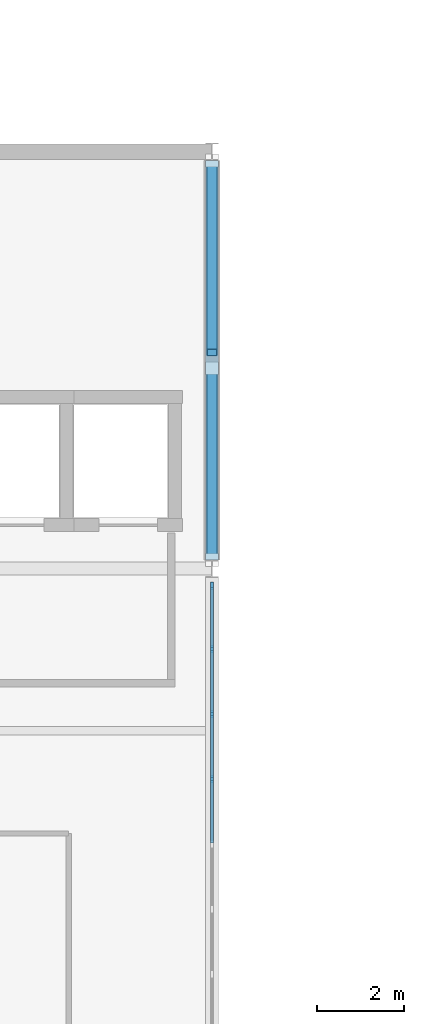
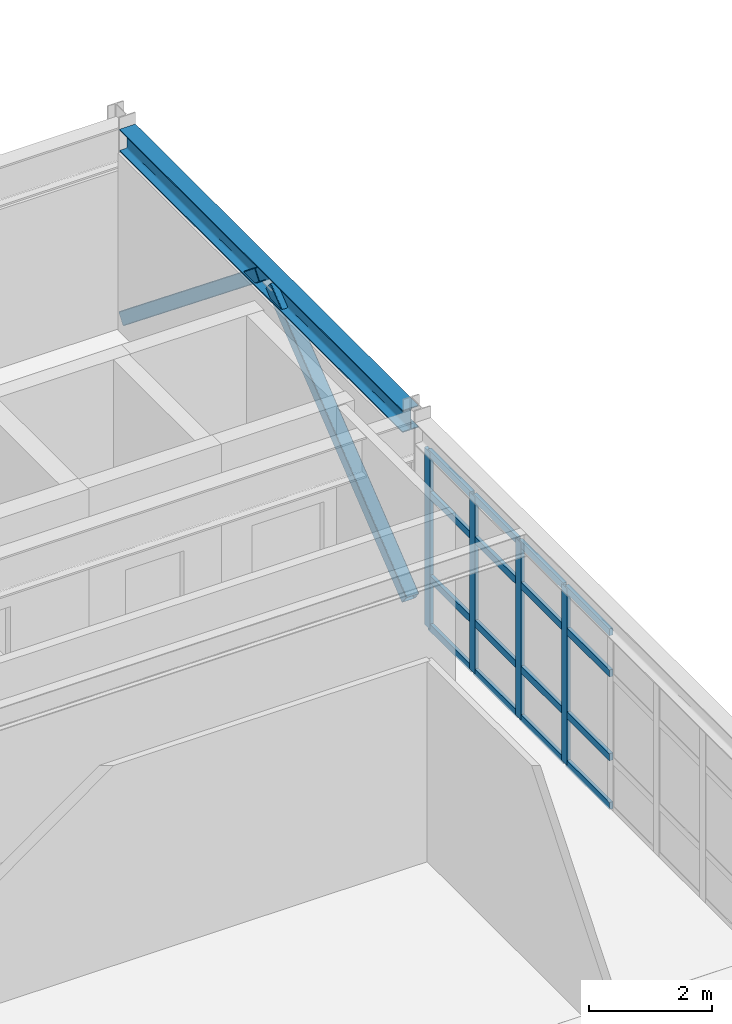
# One storey, part 42 of 88: 22 members, 1 beam, 1 element without a shape of its own.
"""IFC4 building model written with IfcOpenShell, lengths in metres."""

from ifc_helpers import new_model, si_unit, direction, frame, origin, origin_2d, place, context, subcontext, project, spatial, rectangle, hollow_rectangle, i_section, extrude, material, layer, layer_set, material_profile, profile_set, type_object, element, aggregate, save


model = new_model("IFC4")

# Units and contexts
model_context = context("Model", 3, precision=1e-05, world=origin(), true_north=direction((0.0, 1.0)))
body_context = subcontext(model_context, "Body", "Model", "MODEL_VIEW")
ifc_project = project(units=[si_unit("LENGTHUNIT", "METRE"), si_unit("AREAUNIT", "SQUARE_METRE"), si_unit("VOLUMEUNIT", "CUBIC_METRE"), si_unit("PLANEANGLEUNIT", "RADIAN"), si_unit("MASSUNIT", "GRAM", prefix="KILO")], contexts=[model_context])

# Site, building, storey
site_placement = place(None, origin())
site = spatial("IfcSite", under=ifc_project, at=site_placement, CompositionType="ELEMENT")
building_placement = place(site_placement, origin())
building = spatial("IfcBuilding", under=site, at=building_placement, Name="Nordkorset Police Headquarters", CompositionType="ELEMENT")
storey_placement = place(building_placement, frame((0.0, 0.0, 9.449951171875)))
storey = spatial("IfcBuildingStorey", under=building, at=storey_placement, Name="L02", CompositionType="ELEMENT", Elevation=9.449951171875)

# Members
ifc_material_1 = material(Name="Steel S355J2", Category="steel")
ifc_material_profile_1 = material_profile(ifc_material_1, hollow_rectangle(XDim=0.25, YDim=0.25, WallThickness=0.012451171875, InnerFilletRadius=0.012451171875, OuterFilletRadius=0.02490234375, at=origin_2d()), Name="SHS 250x250x12.5")
ifc_profile_set_1 = profile_set([ifc_material_profile_1], Name="Steel S355J2")
member_type_1 = type_object("IfcMemberType", Name="Brace_SHS_250x250x12.5", PredefinedType="BRACE", material=ifc_profile_set_1)
for number, where, z_axis, x_axis, name in (
    (1, (115.199951171875, 88.199951171875, 0.199951171875), (0.0, 0.779669991472, 0.626190629439), (-1.0, 0.0, 0.0), "Lateral Chevron Brace BF-EXT-V5E4 L02 D1"),
    (2, (115.199951171875, 97.39990234375, 0.199951171875), (0.0, -0.779653104675, 0.626211654611), (1.0, 0.0, 0.0), "Lateral Chevron Brace BF-EXT-V5E4 L02 D2"),
):
    element("IfcMember", number, at=place(storey_placement, frame(where, z_axis=z_axis, x_axis=x_axis)), inside=storey, type_object=member_type_1, Name=name, PredefinedType="BRACE", context=body_context, shape_type="SweptSolid", body=[
        extrude(hollow_rectangle(XDim=0.25, YDim=0.25, WallThickness=0.012451171875, InnerFilletRadius=0.012451171875, OuterFilletRadius=0.02490234375, at=origin_2d()), origin(), (0.0, 0.0, 1.0), 5.669189453125),
    ])

# Curtain wall, members
ifc_material_2 = material(Name="Aluminium alloy AW-6060", Category="aluminium")
ifc_layer = layer(ifc_material_2, 0.179931640625, Name="Aluminium alloy AW-6060")
ifc_layer_set = layer_set([ifc_layer], Name="Aluminium alloy AW-6060")
curtain_wall_type = type_object("IfcCurtainWallType", Name="CW_Unit_1048x351", PredefinedType="USERDEFINED", material=ifc_layer_set)
curtain_wall_placement = place(storey_placement, origin())
curtain_wall = element("IfcCurtainWall", 3, at=curtain_wall_placement, inside=storey, type_object=curtain_wall_type, Name="Unitised Curtain Wall L02 V5E-3", ObjectType="UNITISED CURTAIN WALL", PredefinedType="USERDEFINED")
ifc_material_3 = material(Name="Aluminium alloy AW-6060", Category="aluminium")
ifc_material_profile_2 = material_profile(ifc_material_3, rectangle(XDim=0.06494140625, YDim=0.179931640625, at=origin_2d()), Name="ALU MULL 65x180")
ifc_profile_set_2 = profile_set([ifc_material_profile_2], Name="Aluminium alloy AW-6060")
member_type_2 = type_object("IfcMemberType", Name="CW_Mullion_65x180", PredefinedType="MULLION", material=ifc_profile_set_2)
member_1_placement = place(storey_placement, frame((115.199951171875, 83.148681640625, 0.0), z_axis=(0.0, 0.0, 1.0), x_axis=(-1.0, 0.0, 0.0)))
member_1 = element("IfcMember", 4, at=member_1_placement, type_object=member_type_2, Name="CW-72 mullion 5", PredefinedType="MULLION", context=body_context, shape_type="SweptSolid", body=[
    extrude(rectangle(XDim=0.06494140625, YDim=0.179931640625, at=origin_2d()), origin(), (0.0, 0.0, 1.0), 3.510009765625),
])
member_2_placement = place(storey_placement, frame((115.199951171875, 84.645751953125, 0.0), z_axis=(0.0, 0.0, 1.0), x_axis=(-1.0, 0.0, 0.0)))
member_2 = element("IfcMember", 5, at=member_2_placement, type_object=member_type_2, Name="CW-72 mullion 6", PredefinedType="MULLION", context=body_context, shape_type="SweptSolid", body=[
    extrude(rectangle(XDim=0.06494140625, YDim=0.179931640625, at=origin_2d()), origin(), (0.0, 0.0, 1.0), 3.510009765625),
])
member_3_placement = place(storey_placement, frame((115.199951171875, 86.142822265625, 0.0), z_axis=(0.0, 0.0, 1.0), x_axis=(-1.0, 0.0, 0.0)))
member_3 = element("IfcMember", 6, at=member_3_placement, type_object=member_type_2, Name="CW-72 mullion 7", PredefinedType="MULLION", context=body_context, shape_type="SweptSolid", body=[
    extrude(rectangle(XDim=0.06494140625, YDim=0.179931640625, at=origin_2d()), origin(), (0.0, 0.0, 1.0), 3.510009765625),
])
member_4_placement = place(storey_placement, frame((115.199951171875, 87.607421875, 0.0), z_axis=(0.0, 0.0, 1.0), x_axis=(-1.0, 0.0, 0.0)))
member_4 = element("IfcMember", 7, at=member_4_placement, type_object=member_type_2, Name="CW-72 mullion 8", PredefinedType="MULLION", context=body_context, shape_type="SweptSolid", body=[
    extrude(rectangle(XDim=0.06494140625, YDim=0.179931640625, at=origin_2d()), origin(), (0.0, 0.0, 1.0), 3.510009765625),
])
ifc_material_4 = material(Name="Aluminium alloy AW-6060", Category="aluminium")
ifc_material_profile_3 = material_profile(ifc_material_4, rectangle(XDim=0.06494140625, YDim=0.139892578125, at=origin_2d()), Name="ALU TRAN 65x140")
ifc_profile_set_3 = profile_set([ifc_material_profile_3], Name="Aluminium alloy AW-6060")
member_type_3 = type_object("IfcMemberType", Name="CW_Transom_65x140", PredefinedType="USERDEFINED", material=ifc_profile_set_3)
member_5_placement = place(storey_placement, frame((115.199951171875, 81.683837890625, 0.032470703125), z_axis=(0.0, 1.0, 0.0), x_axis=(-1.0, 0.0, 0.0)))
member_5 = element("IfcMember", 8, at=member_5_placement, type_object=member_type_3, Name="CW-72 transom 4.1", ObjectType="TRANSOM", PredefinedType="USERDEFINED", context=body_context, shape_type="SweptSolid", body=[
    extrude(rectangle(XDim=0.06494140625, YDim=0.139892578125, at=origin_2d()), origin(), (0.0, 0.0, 1.0), 1.43212890625),
])
member_6_placement = place(storey_placement, frame((115.199951171875, 81.683837890625, 1.0), z_axis=(0.0, 1.0, 0.0), x_axis=(-1.0, 0.0, 0.0)))
member_6 = element("IfcMember", 9, at=member_6_placement, type_object=member_type_3, Name="CW-72 transom 4.2", ObjectType="TRANSOM", PredefinedType="USERDEFINED", context=body_context, shape_type="SweptSolid", body=[
    extrude(rectangle(XDim=0.06494140625, YDim=0.139892578125, at=origin_2d()), origin(), (0.0, 0.0, 1.0), 1.43212890625),
])
member_7_placement = place(storey_placement, frame((115.199951171875, 81.683837890625, 2.66015625), z_axis=(0.0, 1.0, 0.0), x_axis=(-1.0, 0.0, 0.0)))
member_7 = element("IfcMember", 10, at=member_7_placement, type_object=member_type_3, Name="CW-72 transom 4.3", ObjectType="TRANSOM", PredefinedType="USERDEFINED", context=body_context, shape_type="SweptSolid", body=[
    extrude(rectangle(XDim=0.06494140625, YDim=0.139892578125, at=origin_2d()), origin(), (0.0, 0.0, 1.0), 1.43212890625),
])
member_8_placement = place(storey_placement, frame((115.199951171875, 81.683837890625, 3.4775390625), z_axis=(0.0, 1.0, 0.0), x_axis=(-1.0, 0.0, 0.0)))
member_8 = element("IfcMember", 11, at=member_8_placement, type_object=member_type_3, Name="CW-72 transom 4.4", ObjectType="TRANSOM", PredefinedType="USERDEFINED", context=body_context, shape_type="SweptSolid", body=[
    extrude(rectangle(XDim=0.06494140625, YDim=0.139892578125, at=origin_2d()), origin(), (0.0, 0.0, 1.0), 1.43212890625),
])
member_9_placement = place(storey_placement, frame((115.199951171875, 83.18115234375, 0.032470703125), z_axis=(0.0, 1.0, 0.0), x_axis=(-1.0, 0.0, 0.0)))
member_9 = element("IfcMember", 12, at=member_9_placement, type_object=member_type_3, Name="CW-72 transom 5.1", ObjectType="TRANSOM", PredefinedType="USERDEFINED", context=body_context, shape_type="SweptSolid", body=[
    extrude(rectangle(XDim=0.06494140625, YDim=0.139892578125, at=origin_2d()), origin(), (0.0, 0.0, 1.0), 1.43212890625),
])
member_10_placement = place(storey_placement, frame((115.199951171875, 83.18115234375, 1.0), z_axis=(0.0, 1.0, 0.0), x_axis=(-1.0, 0.0, 0.0)))
member_10 = element("IfcMember", 13, at=member_10_placement, type_object=member_type_3, Name="CW-72 transom 5.2", ObjectType="TRANSOM", PredefinedType="USERDEFINED", context=body_context, shape_type="SweptSolid", body=[
    extrude(rectangle(XDim=0.06494140625, YDim=0.139892578125, at=origin_2d()), origin(), (0.0, 0.0, 1.0), 1.43212890625),
])
member_11_placement = place(storey_placement, frame((115.199951171875, 83.18115234375, 2.66015625), z_axis=(0.0, 1.0, 0.0), x_axis=(-1.0, 0.0, 0.0)))
member_11 = element("IfcMember", 14, at=member_11_placement, type_object=member_type_3, Name="CW-72 transom 5.3", ObjectType="TRANSOM", PredefinedType="USERDEFINED", context=body_context, shape_type="SweptSolid", body=[
    extrude(rectangle(XDim=0.06494140625, YDim=0.139892578125, at=origin_2d()), origin(), (0.0, 0.0, 1.0), 1.43212890625),
])
member_12_placement = place(storey_placement, frame((115.199951171875, 83.18115234375, 3.4775390625), z_axis=(0.0, 1.0, 0.0), x_axis=(-1.0, 0.0, 0.0)))
member_12 = element("IfcMember", 15, at=member_12_placement, type_object=member_type_3, Name="CW-72 transom 5.4", ObjectType="TRANSOM", PredefinedType="USERDEFINED", context=body_context, shape_type="SweptSolid", body=[
    extrude(rectangle(XDim=0.06494140625, YDim=0.139892578125, at=origin_2d()), origin(), (0.0, 0.0, 1.0), 1.43212890625),
])
member_13_placement = place(storey_placement, frame((115.199951171875, 84.67822265625, 0.032470703125), z_axis=(0.0, 1.0, 0.0), x_axis=(-1.0, 0.0, 0.0)))
member_13 = element("IfcMember", 16, at=member_13_placement, type_object=member_type_3, Name="CW-72 transom 6.1", ObjectType="TRANSOM", PredefinedType="USERDEFINED", context=body_context, shape_type="SweptSolid", body=[
    extrude(rectangle(XDim=0.06494140625, YDim=0.139892578125, at=origin_2d()), origin(), (0.0, 0.0, 1.0), 1.43212890625),
])
member_14_placement = place(storey_placement, frame((115.199951171875, 84.67822265625, 1.0), z_axis=(0.0, 1.0, 0.0), x_axis=(-1.0, 0.0, 0.0)))
member_14 = element("IfcMember", 17, at=member_14_placement, type_object=member_type_3, Name="CW-72 transom 6.2", ObjectType="TRANSOM", PredefinedType="USERDEFINED", context=body_context, shape_type="SweptSolid", body=[
    extrude(rectangle(XDim=0.06494140625, YDim=0.139892578125, at=origin_2d()), origin(), (0.0, 0.0, 1.0), 1.43212890625),
])
member_15_placement = place(storey_placement, frame((115.199951171875, 84.67822265625, 2.66015625), z_axis=(0.0, 1.0, 0.0), x_axis=(-1.0, 0.0, 0.0)))
member_15 = element("IfcMember", 18, at=member_15_placement, type_object=member_type_3, Name="CW-72 transom 6.3", ObjectType="TRANSOM", PredefinedType="USERDEFINED", context=body_context, shape_type="SweptSolid", body=[
    extrude(rectangle(XDim=0.06494140625, YDim=0.139892578125, at=origin_2d()), origin(), (0.0, 0.0, 1.0), 1.43212890625),
])
member_16_placement = place(storey_placement, frame((115.199951171875, 84.67822265625, 3.4775390625), z_axis=(0.0, 1.0, 0.0), x_axis=(-1.0, 0.0, 0.0)))
member_16 = element("IfcMember", 19, at=member_16_placement, type_object=member_type_3, Name="CW-72 transom 6.4", ObjectType="TRANSOM", PredefinedType="USERDEFINED", context=body_context, shape_type="SweptSolid", body=[
    extrude(rectangle(XDim=0.06494140625, YDim=0.139892578125, at=origin_2d()), origin(), (0.0, 0.0, 1.0), 1.43212890625),
])
member_17_placement = place(storey_placement, frame((115.199951171875, 86.17529296875, 0.032470703125), z_axis=(0.0, 1.0, 0.0), x_axis=(-1.0, 0.0, 0.0)))
member_17 = element("IfcMember", 20, at=member_17_placement, type_object=member_type_3, Name="CW-72 transom 7.1", ObjectType="TRANSOM", PredefinedType="USERDEFINED", context=body_context, shape_type="SweptSolid", body=[
    extrude(rectangle(XDim=0.06494140625, YDim=0.139892578125, at=origin_2d()), origin(), (0.0, 0.0, 1.0), 1.399658203125),
])
member_18_placement = place(storey_placement, frame((115.199951171875, 86.17529296875, 1.0), z_axis=(0.0, 1.0, 0.0), x_axis=(-1.0, 0.0, 0.0)))
member_18 = element("IfcMember", 21, at=member_18_placement, type_object=member_type_3, Name="CW-72 transom 7.2", ObjectType="TRANSOM", PredefinedType="USERDEFINED", context=body_context, shape_type="SweptSolid", body=[
    extrude(rectangle(XDim=0.06494140625, YDim=0.139892578125, at=origin_2d()), origin(), (0.0, 0.0, 1.0), 1.399658203125),
])
member_19_placement = place(storey_placement, frame((115.199951171875, 86.17529296875, 2.66015625), z_axis=(0.0, 1.0, 0.0), x_axis=(-1.0, 0.0, 0.0)))
member_19 = element("IfcMember", 22, at=member_19_placement, type_object=member_type_3, Name="CW-72 transom 7.3", ObjectType="TRANSOM", PredefinedType="USERDEFINED", context=body_context, shape_type="SweptSolid", body=[
    extrude(rectangle(XDim=0.06494140625, YDim=0.139892578125, at=origin_2d()), origin(), (0.0, 0.0, 1.0), 1.399658203125),
])
member_20_placement = place(storey_placement, frame((115.199951171875, 86.17529296875, 3.4775390625), z_axis=(0.0, 1.0, 0.0), x_axis=(-1.0, 0.0, 0.0)))
member_20 = element("IfcMember", 23, at=member_20_placement, type_object=member_type_3, Name="CW-72 transom 7.4", ObjectType="TRANSOM", PredefinedType="USERDEFINED", context=body_context, shape_type="SweptSolid", body=[
    extrude(rectangle(XDim=0.06494140625, YDim=0.139892578125, at=origin_2d()), origin(), (0.0, 0.0, 1.0), 1.399658203125),
])
aggregate(curtain_wall, [member_1, member_2, member_3, member_4, member_5, member_6, member_7, member_8, member_9, member_10, member_11, member_12, member_13, member_14, member_15, member_16, member_17, member_18, member_19, member_20])

# Beam
ifc_material_5 = material(Name="Steel S355J2", Category="steel")
ifc_material_profile_4 = material_profile(ifc_material_5, i_section(OverallWidth=0.300048828125, OverallDepth=0.43994140625, WebThickness=0.011474609375, FlangeThickness=0.02099609375, FilletRadius=0.027099609375, at=origin_2d()), Name="HEA 450")
ifc_profile_set_4 = profile_set([ifc_material_profile_4], Name="Steel S355J2")
beam_type = type_object("IfcBeamType", Name="Girder_HEA_450", PredefinedType="USERDEFINED", material=ifc_profile_set_4)
beam_placement = place(storey_placement, frame((115.199951171875, 88.199951171875, 3.75), z_axis=(0.0, 1.0, 0.0), x_axis=(-1.0, 0.0, 0.0)))
element("IfcBeam", 24, at=beam_placement, inside=storey, type_object=beam_type, Name="Girder V5 L02 GY-2-4", ObjectType="GIRDER", PredefinedType="USERDEFINED", context=body_context, shape_type="SweptSolid", body=[
    extrude(i_section(OverallWidth=0.300048828125, OverallDepth=0.43994140625, WebThickness=0.011474609375, FlangeThickness=0.02099609375, FilletRadius=0.027099609375, at=origin_2d()), origin(), (0.0, 0.0, 1.0), 9.199951171875),
])

save(model, "model.ifc")
